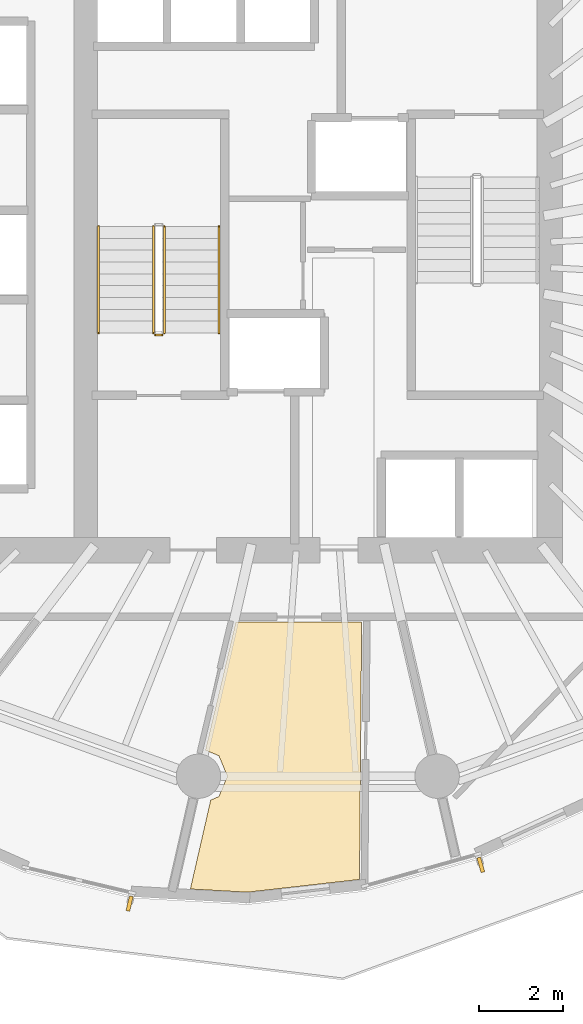
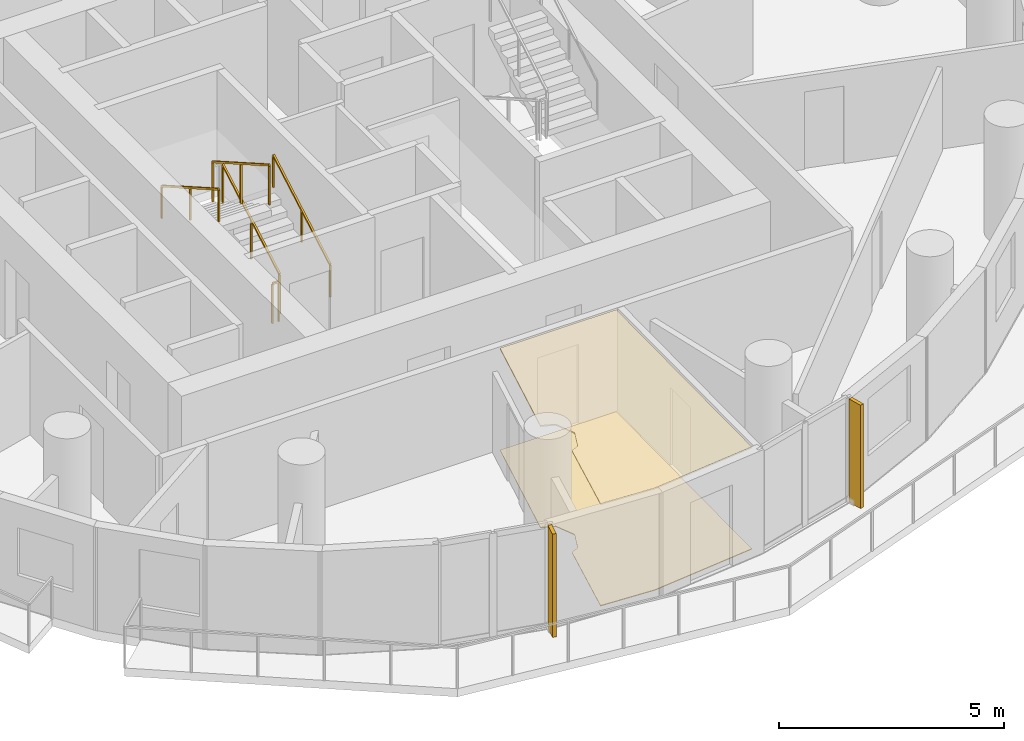
# One storey, part 9 of 13: 5 railings, 2 coverings, 2 shading devices.
"""IFC4 building model written with IfcOpenShell, lengths in metres."""

from ifc_helpers import new_model, si_unit, direction, frame, origin, origin_2d, place, context, subcontext, project, spatial, polyline, rectangle, outline, extrude, material, layer, layer_set, type_object, element, save


model = new_model("IFC4")

# Units and contexts
model_context = context("Model", 3, precision=1e-05, world=origin(), true_north=direction((0.0, 1.0)))
body_context = subcontext(model_context, "Body", "Model", "MODEL_VIEW")
ifc_project = project(units=[si_unit("LENGTHUNIT", "METRE"), si_unit("AREAUNIT", "SQUARE_METRE"), si_unit("VOLUMEUNIT", "CUBIC_METRE"), si_unit("PLANEANGLEUNIT", "RADIAN"), si_unit("MASSUNIT", "GRAM", prefix="KILO")], contexts=[model_context])

# Site, building, storey
site_placement = place(None, origin())
site = spatial("IfcSite", under=ifc_project, at=site_placement, CompositionType="ELEMENT")
building_placement = place(site_placement, origin())
building = spatial("IfcBuilding", under=site, at=building_placement, Name="Veldorim Arch Residences", CompositionType="ELEMENT")
storey_placement = place(building_placement, frame((0.0, 0.0, 155.360107421875)))
storey = spatial("IfcBuildingStorey", under=building, at=storey_placement, Name="L46", CompositionType="ELEMENT", Elevation=155.360107421875)

# Railings
ifc_material_1 = material(Name="Steel S355", Category="steel")
railing_type_1 = type_object("IfcRailingType", Name="Galvanised Steel Stair Safety Guardrail 1100", PredefinedType="GUARDRAIL", material=ifc_material_1)
railing_1_placement = place(storey_placement, frame((28.360107421875, 22.14990234375, 0.159912109375)))
element("IfcRailing", 1, at=railing_1_placement, inside=storey, type_object=railing_type_1, Name="L46 ST-1 stair guard 1", PredefinedType="GUARDRAIL", context=body_context, shape_type="SweptSolid", body=[
    extrude(rectangle(XDim=0.048095703125, YDim=0.048095703125, at=origin_2d()), frame((0.0, 0.0, 1.076171875), z_axis=(0.0, 0.868253494771, 0.496120820787), x_axis=(-1.0, 0.0, 0.0)), (0.0, 0.0, 1.0), 2.90234375),
    extrude(rectangle(XDim=0.0419921875, YDim=0.0419921875, at=origin_2d()), origin(), (0.0, 0.0, 1.0), 1.052001953125),
    extrude(rectangle(XDim=0.0419921875, YDim=0.0419921875, at=origin_2d()), frame((0.0, 1.260009765625, 0.719970703125)), (0.0, 0.0, 1.0), 1.052001953125),
    extrude(rectangle(XDim=0.0419921875, YDim=0.0419921875, at=origin_2d()), frame((0.0, 2.52001953125, 1.43994140625)), (0.0, 0.0, 1.0), 1.052001953125),
])
railing_2_placement = place(storey_placement, frame((28.10009765625, 24.669921875, 1.760009765625)))
element("IfcRailing", 2, at=railing_2_placement, inside=storey, type_object=railing_type_1, Name="L46 ST-1 stair guard 3", PredefinedType="GUARDRAIL", context=body_context, shape_type="SweptSolid", body=[
    extrude(rectangle(XDim=0.048095703125, YDim=0.048095703125, at=origin_2d()), frame((0.0, 0.0, 1.076171875), z_axis=(0.0, -0.868253494771, 0.496120820787), x_axis=(1.0, 0.0, 0.0)), (0.0, 0.0, 1.0), 2.90234375),
    extrude(rectangle(XDim=0.0419921875, YDim=0.0419921875, at=origin_2d()), origin(), (0.0, 0.0, 1.0), 1.052001953125),
    extrude(rectangle(XDim=0.0419921875, YDim=0.0419921875, at=origin_2d()), frame((0.0, -1.260009765625, 0.719970703125)), (0.0, 0.0, 1.0), 1.052001953125),
    extrude(rectangle(XDim=0.0419921875, YDim=0.0419921875, at=origin_2d()), frame((0.0, -2.52001953125, 1.43994140625)), (0.0, 0.0, 1.0), 1.052001953125),
])
railing_3_placement = place(storey_placement, frame((28.31005859375, 22.10009765625, 0.0)))
element("IfcRailing", 3, at=railing_3_placement, inside=storey, type_object=railing_type_1, Name="L46 ST-1 stair guard 4", PredefinedType="GUARDRAIL", context=body_context, shape_type="SweptSolid", body=[
    extrude(rectangle(XDim=0.048095703125, YDim=0.048095703125, at=origin_2d()), frame((0.0, 0.0, 1.076171875), z_axis=(-1.0, 0.0, 0.0), x_axis=(0.0, -1.0, 0.0)), (0.0, 0.0, 1.0), 0.16015625),
    extrude(rectangle(XDim=0.0419921875, YDim=0.0419921875, at=origin_2d()), origin(), (0.0, 0.0, 1.0), 1.052001953125),
    extrude(rectangle(XDim=0.0419921875, YDim=0.0419921875, at=origin_2d()), frame((-0.16015625, 0.0, 0.0)), (0.0, 0.0, 1.0), 1.052001953125),
])

# Coverings
ifc_material_2 = material(Name="Acoustic Gypsum & Mineral Fibre", Category="gypsum")
ifc_layer_1 = layer(ifc_material_2, 0.034912109375, Name="Perforated Acoustic Mineral-Fibre Ceiling 35")
ifc_layer_set_1 = layer_set([ifc_layer_1], Name="Acoustic Gypsum & Mineral Fibre")
covering_type_1 = type_object("IfcCoveringType", Name="Perforated Acoustic Mineral-Fibre Ceiling 35", PredefinedType="CEILING", material=ifc_layer_set_1)
covering_1_placement = place(storey_placement, frame((0.0, 0.0, 2.744873046875)))
element("IfcCovering", 4, at=covering_1_placement, inside=storey, type_object=covering_type_1, Name="L46 acoustic suspended ceiling 02", PredefinedType="CEILING", context=body_context, shape_type="SweptSolid", body=[
    extrude(outline(polyline([(28.978515625, 8.96826171875), (29.461181640625, 11.077392578125), (29.655517578125, 11.15771484375), (29.856201171875, 11.64208984375), (29.655517578125, 12.12646484375), (29.3359375, 12.2587890625), (30.057861328125, 15.300048828125), (33.038818359375, 15.300048828125), (32.98779296875, 9.194091796875), (30.327880859375, 8.892578125), (28.978515625, 8.96826171875)])), origin(), (0.0, 0.0, 1.0), 0.034912109375),
])
ifc_material_3 = material(Name="Porcelain Ceramic Tile", Category="ceramic")
ifc_layer_2 = layer(ifc_material_3, 0.02001953125, Name="Slip-Resistant Porcelain & Vinyl Floor Finish 20")
ifc_layer_set_2 = layer_set([ifc_layer_2], Name="Porcelain Ceramic Tile")
covering_type_2 = type_object("IfcCoveringType", Name="Slip-Resistant Porcelain & Vinyl Floor Finish 20", PredefinedType="FLOORING", material=ifc_layer_set_2)
covering_2_placement = place(storey_placement, origin())
element("IfcCovering", 5, at=covering_2_placement, inside=storey, type_object=covering_type_2, Name="L46 porcelain floor finish 02", PredefinedType="FLOORING", context=body_context, shape_type="SweptSolid", body=[
    extrude(outline(polyline([(28.978515625, 8.96826171875), (29.461181640625, 11.077392578125), (29.655517578125, 11.15771484375), (29.856201171875, 11.64208984375), (29.655517578125, 12.12646484375), (29.3359375, 12.2587890625), (30.057861328125, 15.300048828125), (33.038818359375, 15.300048828125), (32.98779296875, 9.194091796875), (30.327880859375, 8.892578125), (28.978515625, 8.96826171875)])), origin(), (0.0, 0.0, 1.0), 0.019775390625),
])

# Railings
ifc_material_4 = material(Name="Stainless Steel", Category="steel")
railing_type_2 = type_object("IfcRailingType", Name="Tubular Steel Continuous Wall Handrail 900", PredefinedType="HANDRAIL", material=ifc_material_4)
railing_4_placement = place(storey_placement, frame((29.659912109375, 22.14990234375, 0.159912109375)))
element("IfcRailing", 6, at=railing_4_placement, inside=storey, type_object=railing_type_2, Name="L46 ST-1 stair handrail 1", PredefinedType="HANDRAIL", context=body_context, shape_type="SweptSolid", body=[
    extrude(rectangle(XDim=0.048095703125, YDim=0.048095703125, at=origin_2d()), frame((0.0, 0.0, 0.8759765625), z_axis=(0.0, 0.868253494771, 0.496120820787), x_axis=(-1.0, 0.0, 0.0)), (0.0, 0.0, 1.0), 2.90234375),
    extrude(rectangle(XDim=0.0419921875, YDim=0.0419921875, at=origin_2d()), origin(), (0.0, 0.0, 1.0), 0.851806640625),
    extrude(rectangle(XDim=0.0419921875, YDim=0.0419921875, at=origin_2d()), frame((0.0, 1.260009765625, 0.719970703125)), (0.0, 0.0, 1.0), 0.851806640625),
    extrude(rectangle(XDim=0.0419921875, YDim=0.0419921875, at=origin_2d()), frame((0.0, 2.52001953125, 1.43994140625)), (0.0, 0.0, 1.0), 0.851806640625),
])
railing_5_placement = place(storey_placement, frame((26.800048828125, 24.669921875, 1.760009765625)))
element("IfcRailing", 7, at=railing_5_placement, inside=storey, type_object=railing_type_2, Name="L46 ST-1 stair handrail 2", PredefinedType="HANDRAIL", context=body_context, shape_type="SweptSolid", body=[
    extrude(rectangle(XDim=0.048095703125, YDim=0.048095703125, at=origin_2d()), frame((0.0, 0.0, 0.8759765625), z_axis=(0.0, -0.868253494771, 0.496120820787), x_axis=(1.0, 0.0, 0.0)), (0.0, 0.0, 1.0), 2.90234375),
    extrude(rectangle(XDim=0.0419921875, YDim=0.0419921875, at=origin_2d()), origin(), (0.0, 0.0, 1.0), 0.851806640625),
    extrude(rectangle(XDim=0.0419921875, YDim=0.0419921875, at=origin_2d()), frame((0.0, -1.260009765625, 0.719970703125)), (0.0, 0.0, 1.0), 0.851806640625),
    extrude(rectangle(XDim=0.0419921875, YDim=0.0419921875, at=origin_2d()), frame((0.0, -2.52001953125, 1.43994140625)), (0.0, 0.0, 1.0), 0.851806640625),
])

# Shading devices
ifc_material_5 = material(Name="Terracotta Ceramic", Category="masonry")
ifc_layer_3 = layer(ifc_material_5, 0.090087890625, Name="Vertical Extruded Terracotta Baguette Sun-Shading Fin")
ifc_layer_set_3 = layer_set([ifc_layer_3], Name="Terracotta Ceramic")
shading_device_type = type_object("IfcShadingDeviceType", Name="Vertical Extruded Terracotta Baguette Sun-Shading Fin", PredefinedType="USERDEFINED", material=ifc_layer_set_3)
for number, where, z_axis, x_axis, name in (
    (8, (27.53759765625, 8.622314453125, 0.0), (0.0, 0.0, 1.0), (-0.972977745976, 0.230898908261, 0.0), "L46 vertical terracotta sun-shading fin 22"),
    (9, (35.86328125, 9.5400390625, 0.0), (0.0, 0.0, 1.0), (-0.962549928407, -0.271104473079, 0.0), "L46 vertical terracotta sun-shading fin 25"),
):
    element("IfcShadingDevice", number, at=place(storey_placement, frame(where, z_axis=z_axis, x_axis=x_axis)), inside=storey, type_object=shading_device_type, Name=name, ObjectType="FIN", PredefinedType="USERDEFINED", context=body_context, shape_type="SweptSolid", body=[
        extrude(rectangle(XDim=0.090087890625, YDim=0.360107421875, at=origin_2d()), origin(), (0.0, 0.0, 1.0), 2.800048828125),
    ])

save(model, "model.ifc")
